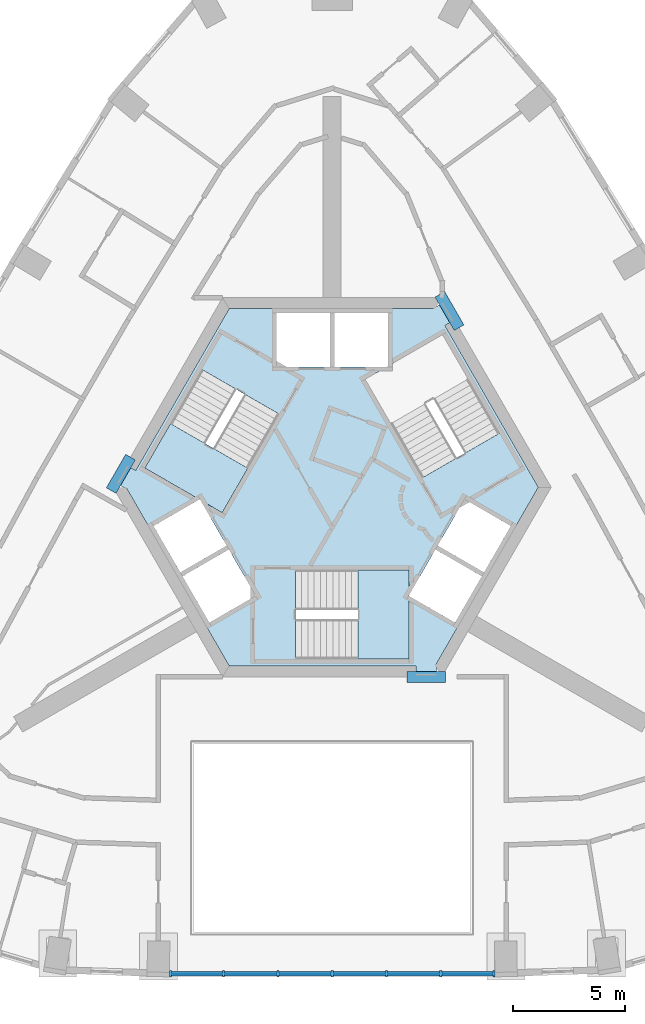
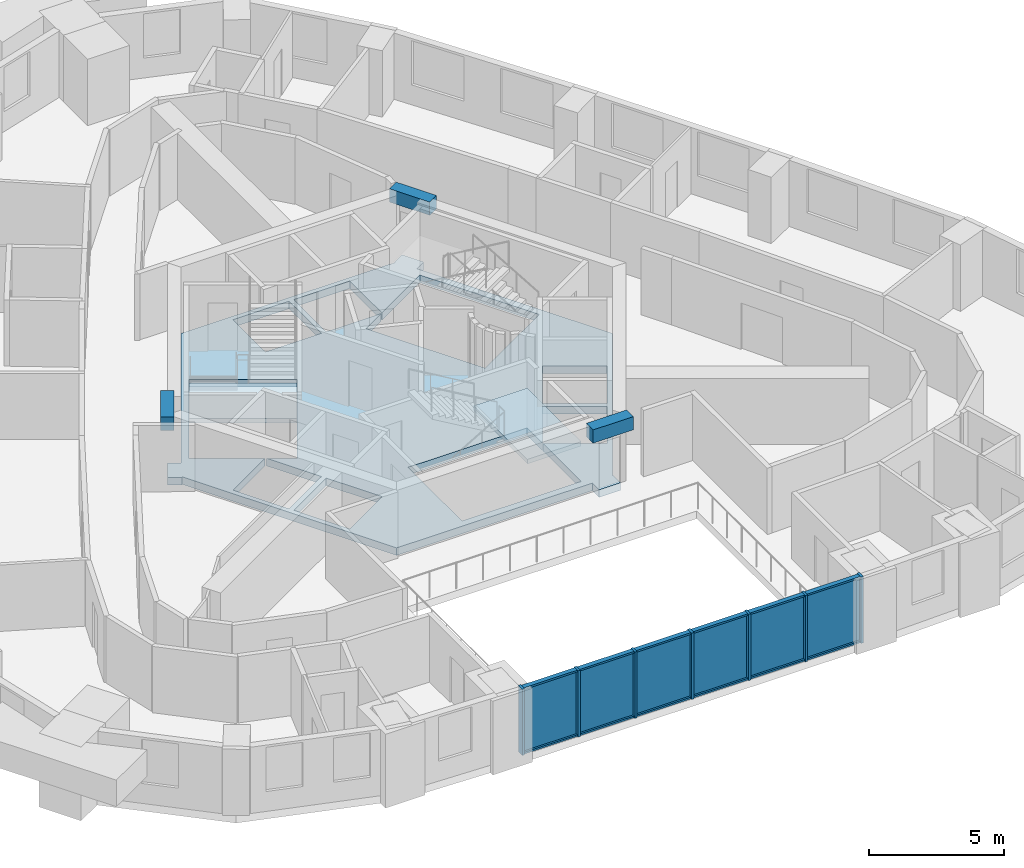
# One storey, part 2 of 10: 19 members, 6 plates, 3 beams, 3 slabs, 3 elements without a shape of their own.
"""IFC4 building model written with IfcOpenShell, lengths in metres."""

from ifc_helpers import new_model, si_unit, direction, frame, origin, origin_2d, place, context, subcontext, project, spatial, polyline, rectangle, outline, extrude, material, layer, layer_set, material_profile, profile_set, type_object, element, aggregate, save


model = new_model("IFC4")

# Units and contexts
model_context = context("Model", 3, precision=1e-05, world=origin(), true_north=direction((0.0, 1.0)))
body_context = subcontext(model_context, "Body", "Model", "MODEL_VIEW")
ifc_project = project(units=[si_unit("LENGTHUNIT", "METRE"), si_unit("AREAUNIT", "SQUARE_METRE"), si_unit("VOLUMEUNIT", "CUBIC_METRE"), si_unit("PLANEANGLEUNIT", "RADIAN"), si_unit("MASSUNIT", "GRAM", prefix="KILO")], contexts=[model_context])

# Site, building, storey
site_placement = place(None, origin())
site = spatial("IfcSite", under=ifc_project, at=site_placement, CompositionType="ELEMENT")
building_placement = place(site_placement, origin())
building = spatial("IfcBuilding", under=site, at=building_placement, Name="Entoto Arch Interchange Tower", CompositionType="ELEMENT")
storey_placement = place(building_placement, frame((0.0, 0.0, 322.39990234375)))
storey = spatial("IfcBuildingStorey", under=building, at=storey_placement, Name="L76", CompositionType="ELEMENT", Elevation=322.39990234375)

# Beams
ifc_material_1 = material(Name="Concrete C40/50", Category="concrete")
ifc_material_profile_1 = material_profile(ifc_material_1, rectangle(XDim=0.5, YDim=0.60009765625, at=origin_2d()))
ifc_profile_set_1 = profile_set([ifc_material_profile_1], Name="Concrete C40/50")
beam_type = type_object("IfcBeamType", Name="Coupling beam RC 500x600 C40/50", PredefinedType="BEAM", material=ifc_profile_set_1)
for number, where, z_axis, x_axis, name in (
    (1, (5.68603515625, 9.65087890625, 2.7001953125), (-0.500105721196, 0.865964357019, 0.0), (-0.865964357019, -0.500105721196, 0.0), "Coupling beam NE L76"),
    (2, (-9.035888671875, 3.84912109375, 2.7001953125), (-0.500105721196, -0.865964357019, 0.0), (0.865964357019, -0.500105721196, 0.0), "Coupling beam NW L76"),
):
    element("IfcBeam", number, at=place(storey_placement, frame(where, z_axis=z_axis, x_axis=x_axis)), inside=storey, type_object=beam_type, Name=name, PredefinedType="BEAM", context=body_context, shape_type="SweptSolid", body=[
        extrude(rectangle(XDim=0.5, YDim=0.60009765625, at=origin_2d()), origin(), (0.0, 0.0, 1.0), 1.727783203125),
    ])
beam_placement = place(storey_placement, frame((3.35009765625, -6.0, 2.7001953125), z_axis=(1.0, 0.0, 0.0), x_axis=(0.0, 1.0, 0.0)))
element("IfcBeam", 3, at=beam_placement, inside=storey, type_object=beam_type, Name="Coupling beam S L76", PredefinedType="BEAM", context=body_context, shape_type="SweptSolid", body=[
    extrude(rectangle(XDim=0.5, YDim=0.60009765625, at=origin_2d()), origin(), (0.0, 0.0, 1.0), 1.725830078125),
])

# Curtain wall, members
ifc_material_2 = material(Name="Aluminium, anodised", Category="aluminium")
curtain_wall_type = type_object("IfcCurtainWallType", Name="CURTAIN WALL ATRIUM", PredefinedType="NOTDEFINED", material=ifc_material_2)
curtain_wall_placement = place(storey_placement, origin())
curtain_wall = element("IfcCurtainWall", 4, at=curtain_wall_placement, inside=storey, type_object=curtain_wall_type, Name="Atrium glazing S-02 L76", PredefinedType="NOTDEFINED")
ifc_material_profile_2 = material_profile(ifc_material_2, rectangle(XDim=0.300048828125, YDim=0.10009765625, at=origin_2d()))
ifc_profile_set_2 = profile_set([ifc_material_profile_2], Name="Aluminium, anodised")
member_type_1 = type_object("IfcMemberType", Name="MULLION ATRIUM 100x300", PredefinedType="MULLION", material=ifc_profile_set_2)
member_1_placement = place(storey_placement, frame((-7.248046875, -19.302978515625, 0.0), z_axis=(0.0, 0.0, 1.0), x_axis=(0.0, 1.0, 0.0)))
member_1 = element("IfcMember", 5, at=member_1_placement, type_object=member_type_1, Name="CWA mullion 1", PredefinedType="MULLION", context=body_context, shape_type="SweptSolid", body=[
    extrude(rectangle(XDim=0.300048828125, YDim=0.10009765625, at=origin_2d()), origin(), (0.0, 0.0, 1.0), 3.0),
])
member_2_placement = place(storey_placement, frame((-4.865234375, -19.302978515625, 0.0), z_axis=(0.0, 0.0, 1.0), x_axis=(0.0, 1.0, 0.0)))
member_2 = element("IfcMember", 6, at=member_2_placement, type_object=member_type_1, Name="CWA mullion 2", PredefinedType="MULLION", context=body_context, shape_type="SweptSolid", body=[
    extrude(rectangle(XDim=0.300048828125, YDim=0.10009765625, at=origin_2d()), origin(), (0.0, 0.0, 1.0), 3.0),
])
member_3_placement = place(storey_placement, frame((-2.4326171875, -19.302978515625, 0.0), z_axis=(0.0, 0.0, 1.0), x_axis=(0.0, 1.0, 0.0)))
member_3 = element("IfcMember", 7, at=member_3_placement, type_object=member_type_1, Name="CWA mullion 3", PredefinedType="MULLION", context=body_context, shape_type="SweptSolid", body=[
    extrude(rectangle(XDim=0.300048828125, YDim=0.10009765625, at=origin_2d()), origin(), (0.0, 0.0, 1.0), 3.0),
])
member_4_placement = place(storey_placement, frame((0.0, -19.302978515625, 0.0), z_axis=(0.0, 0.0, 1.0), x_axis=(0.0, 1.0, 0.0)))
member_4 = element("IfcMember", 8, at=member_4_placement, type_object=member_type_1, Name="CWA mullion 4", PredefinedType="MULLION", context=body_context, shape_type="SweptSolid", body=[
    extrude(rectangle(XDim=0.300048828125, YDim=0.10009765625, at=origin_2d()), origin(), (0.0, 0.0, 1.0), 3.0),
])
member_5_placement = place(storey_placement, frame((2.4326171875, -19.302978515625, 0.0), z_axis=(0.0, 0.0, 1.0), x_axis=(0.0, 1.0, 0.0)))
member_5 = element("IfcMember", 9, at=member_5_placement, type_object=member_type_1, Name="CWA mullion 5", PredefinedType="MULLION", context=body_context, shape_type="SweptSolid", body=[
    extrude(rectangle(XDim=0.300048828125, YDim=0.10009765625, at=origin_2d()), origin(), (0.0, 0.0, 1.0), 3.0),
])
member_6_placement = place(storey_placement, frame((4.865234375, -19.302978515625, 0.0), z_axis=(0.0, 0.0, 1.0), x_axis=(0.0, 1.0, 0.0)))
member_6 = element("IfcMember", 10, at=member_6_placement, type_object=member_type_1, Name="CWA mullion 6", PredefinedType="MULLION", context=body_context, shape_type="SweptSolid", body=[
    extrude(rectangle(XDim=0.300048828125, YDim=0.10009765625, at=origin_2d()), origin(), (0.0, 0.0, 1.0), 3.0),
])
member_7_placement = place(storey_placement, frame((7.248046875, -19.302978515625, 0.0), z_axis=(0.0, 0.0, 1.0), x_axis=(0.0, 1.0, 0.0)))
member_7 = element("IfcMember", 11, at=member_7_placement, type_object=member_type_1, Name="CWA mullion 7", PredefinedType="MULLION", context=body_context, shape_type="SweptSolid", body=[
    extrude(rectangle(XDim=0.300048828125, YDim=0.10009765625, at=origin_2d()), origin(), (0.0, 0.0, 1.0), 3.0),
])
ifc_material_profile_3 = material_profile(ifc_material_2, rectangle(XDim=0.199951171875, YDim=0.080078125, at=origin_2d()))
ifc_profile_set_3 = profile_set([ifc_material_profile_3], Name="Aluminium, anodised")
member_type_2 = type_object("IfcMemberType", Name="TRANSOM ATRIUM 80x200", PredefinedType="USERDEFINED", material=ifc_profile_set_3)
member_8_placement = place(storey_placement, frame((-7.197998046875, -19.302978515625, 0.0400390625), z_axis=(1.0, 0.0, 0.0), x_axis=(0.0, 1.0, 0.0)))
member_8 = element("IfcMember", 12, at=member_8_placement, type_object=member_type_2, Name="CWA transom 1.1", ObjectType="TRANSOM", PredefinedType="USERDEFINED", context=body_context, shape_type="SweptSolid", body=[
    extrude(rectangle(XDim=0.199951171875, YDim=0.080078125, at=origin_2d()), origin(), (0.0, 0.0, 1.0), 2.28271484375),
])
member_9_placement = place(storey_placement, frame((-7.197998046875, -19.302978515625, 2.960205078125), z_axis=(1.0, 0.0, 0.0), x_axis=(0.0, 1.0, 0.0)))
member_9 = element("IfcMember", 13, at=member_9_placement, type_object=member_type_2, Name="CWA transom 1.2", ObjectType="TRANSOM", PredefinedType="USERDEFINED", context=body_context, shape_type="SweptSolid", body=[
    extrude(rectangle(XDim=0.199951171875, YDim=0.080078125, at=origin_2d()), origin(), (0.0, 0.0, 1.0), 2.28271484375),
])
member_10_placement = place(storey_placement, frame((-4.8154296875, -19.302978515625, 0.0400390625), z_axis=(1.0, 0.0, 0.0), x_axis=(0.0, 1.0, 0.0)))
member_10 = element("IfcMember", 14, at=member_10_placement, type_object=member_type_2, Name="CWA transom 2.1", ObjectType="TRANSOM", PredefinedType="USERDEFINED", context=body_context, shape_type="SweptSolid", body=[
    extrude(rectangle(XDim=0.199951171875, YDim=0.080078125, at=origin_2d()), origin(), (0.0, 0.0, 1.0), 2.332763671875),
])
member_11_placement = place(storey_placement, frame((-4.8154296875, -19.302978515625, 2.960205078125), z_axis=(1.0, 0.0, 0.0), x_axis=(0.0, 1.0, 0.0)))
member_11 = element("IfcMember", 15, at=member_11_placement, type_object=member_type_2, Name="CWA transom 2.2", ObjectType="TRANSOM", PredefinedType="USERDEFINED", context=body_context, shape_type="SweptSolid", body=[
    extrude(rectangle(XDim=0.199951171875, YDim=0.080078125, at=origin_2d()), origin(), (0.0, 0.0, 1.0), 2.332763671875),
])
member_12_placement = place(storey_placement, frame((-2.382568359375, -19.302978515625, 0.0400390625), z_axis=(1.0, 0.0, 0.0), x_axis=(0.0, 1.0, 0.0)))
member_12 = element("IfcMember", 16, at=member_12_placement, type_object=member_type_2, Name="CWA transom 3.1", ObjectType="TRANSOM", PredefinedType="USERDEFINED", context=body_context, shape_type="SweptSolid", body=[
    extrude(rectangle(XDim=0.199951171875, YDim=0.080078125, at=origin_2d()), origin(), (0.0, 0.0, 1.0), 2.33251953125),
])
member_13_placement = place(storey_placement, frame((-2.382568359375, -19.302978515625, 2.960205078125), z_axis=(1.0, 0.0, 0.0), x_axis=(0.0, 1.0, 0.0)))
member_13 = element("IfcMember", 17, at=member_13_placement, type_object=member_type_2, Name="CWA transom 3.2", ObjectType="TRANSOM", PredefinedType="USERDEFINED", context=body_context, shape_type="SweptSolid", body=[
    extrude(rectangle(XDim=0.199951171875, YDim=0.080078125, at=origin_2d()), origin(), (0.0, 0.0, 1.0), 2.33251953125),
])
member_14_placement = place(storey_placement, frame((0.050048828125, -19.302978515625, 0.0400390625), z_axis=(1.0, 0.0, 0.0), x_axis=(0.0, 1.0, 0.0)))
member_14 = element("IfcMember", 18, at=member_14_placement, type_object=member_type_2, Name="CWA transom 4.1", ObjectType="TRANSOM", PredefinedType="USERDEFINED", context=body_context, shape_type="SweptSolid", body=[
    extrude(rectangle(XDim=0.199951171875, YDim=0.080078125, at=origin_2d()), origin(), (0.0, 0.0, 1.0), 2.33251953125),
])
member_15_placement = place(storey_placement, frame((0.050048828125, -19.302978515625, 2.960205078125), z_axis=(1.0, 0.0, 0.0), x_axis=(0.0, 1.0, 0.0)))
member_15 = element("IfcMember", 19, at=member_15_placement, type_object=member_type_2, Name="CWA transom 4.2", ObjectType="TRANSOM", PredefinedType="USERDEFINED", context=body_context, shape_type="SweptSolid", body=[
    extrude(rectangle(XDim=0.199951171875, YDim=0.080078125, at=origin_2d()), origin(), (0.0, 0.0, 1.0), 2.33251953125),
])
member_16_placement = place(storey_placement, frame((2.482666015625, -19.302978515625, 0.0400390625), z_axis=(1.0, 0.0, 0.0), x_axis=(0.0, 1.0, 0.0)))
member_16 = element("IfcMember", 20, at=member_16_placement, type_object=member_type_2, Name="CWA transom 5.1", ObjectType="TRANSOM", PredefinedType="USERDEFINED", context=body_context, shape_type="SweptSolid", body=[
    extrude(rectangle(XDim=0.199951171875, YDim=0.080078125, at=origin_2d()), origin(), (0.0, 0.0, 1.0), 2.332763671875),
])
member_17_placement = place(storey_placement, frame((2.482666015625, -19.302978515625, 2.960205078125), z_axis=(1.0, 0.0, 0.0), x_axis=(0.0, 1.0, 0.0)))
member_17 = element("IfcMember", 21, at=member_17_placement, type_object=member_type_2, Name="CWA transom 5.2", ObjectType="TRANSOM", PredefinedType="USERDEFINED", context=body_context, shape_type="SweptSolid", body=[
    extrude(rectangle(XDim=0.199951171875, YDim=0.080078125, at=origin_2d()), origin(), (0.0, 0.0, 1.0), 2.332763671875),
])
member_18_placement = place(storey_placement, frame((4.915283203125, -19.302978515625, 0.0400390625), z_axis=(1.0, 0.0, 0.0), x_axis=(0.0, 1.0, 0.0)))
member_18 = element("IfcMember", 22, at=member_18_placement, type_object=member_type_2, Name="CWA transom 6.1", ObjectType="TRANSOM", PredefinedType="USERDEFINED", context=body_context, shape_type="SweptSolid", body=[
    extrude(rectangle(XDim=0.199951171875, YDim=0.080078125, at=origin_2d()), origin(), (0.0, 0.0, 1.0), 2.28271484375),
])
member_19_placement = place(storey_placement, frame((4.915283203125, -19.302978515625, 2.960205078125), z_axis=(1.0, 0.0, 0.0), x_axis=(0.0, 1.0, 0.0)))
member_19 = element("IfcMember", 23, at=member_19_placement, type_object=member_type_2, Name="CWA transom 6.2", ObjectType="TRANSOM", PredefinedType="USERDEFINED", context=body_context, shape_type="SweptSolid", body=[
    extrude(rectangle(XDim=0.199951171875, YDim=0.080078125, at=origin_2d()), origin(), (0.0, 0.0, 1.0), 2.28271484375),
])

# Slab
ifc_layer_1 = layer(ifc_material_1, 0.340087890625)
ifc_layer_set_1 = layer_set([ifc_layer_1], Name="Concrete C40/50")
slab_type_1 = type_object("IfcSlabType", Name="Core floor slab 340 C40/50", PredefinedType="FLOOR", material=ifc_layer_set_1)
slab_1_placement = place(storey_placement, frame((0.0, 0.0, -0.33984375)))
element("IfcSlab", 24, at=slab_1_placement, inside=storey, type_object=slab_type_1, Name="Core floor slab L76", PredefinedType="FLOOR", context=body_context, shape_type="SweptSolid", body=[
    extrude(outline(polyline([(-9.208984375, 2.449951171875), (-9.222900390625, 2.425048828125), (-9.699951171875, 2.699951171875), (-9.236083984375, 3.501953125), (-8.802978515625, 3.2529296875), (-4.618896484375, 10.5), (4.56103515625, 10.5), (4.5458984375, 10.52490234375), (5.02197265625, 10.800048828125), (5.486083984375, 9.998046875), (5.052978515625, 9.748046875), (9.238037109375, 2.5), (4.64794921875, -5.449951171875), (4.676025390625, -5.449951171875), (4.676025390625, -6.0), (3.75, -6.0), (3.75, -5.5), (-4.618896484375, -5.5), (-9.208984375, 2.449951171875)]), holes=[polyline([(-1.64990234375, -5.199951171875), (3.449951171875, -5.199951171875), (3.449951171875, -2.3779296875), (5.5048828125, -3.56494140625), (6.705078125, -1.487060546875), (4.626953125, -0.287109375), (3.449951171875, -2.324951171875), (3.449951171875, -1.199951171875), (-1.64990234375, -1.199951171875), (-1.64990234375, -5.199951171875)]), polyline([(-4.626953125, -0.287109375), (-6.705078125, -1.487060546875), (-5.5048828125, -3.56494140625), (-3.427001953125, -2.364990234375), (-4.626953125, -0.287109375)]), polyline([(-5.904052734375, 1.925048828125), (-4.928955078125, 1.362060546875), (-2.37890625, 5.779052734375), (-5.843017578125, 7.779052734375), (-8.39306640625, 3.362060546875), (-5.949951171875, 1.951904296875), (-8.0048828125, 0.764892578125), (-6.804931640625, -1.31298828125), (-4.72705078125, -0.113037109375), (-5.904052734375, 1.925048828125)]), polyline([(4.72705078125, -0.113037109375), (6.804931640625, -1.31298828125), (8.0048828125, 0.764892578125), (5.927001953125, 1.965087890625), (4.72705078125, -0.113037109375)]), polyline([(2.5, 7.927001953125), (2.5, 10.300048828125), (0.10009765625, 10.300048828125), (0.10009765625, 7.89990234375), (2.452880859375, 7.89990234375), (1.47900390625, 7.337890625), (4.029052734375, 2.9208984375), (7.492919921875, 4.9208984375), (4.943115234375, 9.337890625), (2.5, 7.927001953125)]), polyline([(-2.5, 7.89990234375), (-0.10009765625, 7.89990234375), (-0.10009765625, 10.300048828125), (-2.5, 10.300048828125), (-2.5, 7.89990234375)])]), origin(), (0.0, 0.0, 1.0), 0.33984375),
])

# Stair, slab
stair_type = type_object("IfcStairType", Name="EXIT STAIR RC 1800", PredefinedType="HALF_TURN_STAIR", material=ifc_material_1)
stair_1_placement = place(storey_placement, origin())
stair_1 = element("IfcStair", 25, at=stair_1_placement, inside=storey, type_object=stair_type, Name="L76 Exit stair S", PredefinedType="HALF_TURN_STAIR")
ifc_layer_2 = layer(ifc_material_1, 0.199951171875)
ifc_layer_set_2 = layer_set([ifc_layer_2], Name="Concrete C40/50")
slab_type_2 = type_object("IfcSlabType", Name="EXIT STAIR LANDING RC 200", PredefinedType="LANDING", material=ifc_layer_set_2)
slab_2_placement = place(storey_placement, frame((0.0, 0.0, 1.60009765625)))
slab_2 = element("IfcSlab", 26, at=slab_2_placement, type_object=slab_type_2, Name="ST-S landing 1", PredefinedType="LANDING", context=body_context, shape_type="SweptSolid", body=[
    extrude(outline(polyline([(1.14990234375, -5.199951171875), (3.449951171875, -5.199951171875), (3.449951171875, -1.199951171875), (1.14990234375, -1.199951171875), (1.14990234375, -5.199951171875)])), origin(), (0.0, 0.0, 1.0), 0.199951171875),
])
aggregate(stair_1, [slab_2])

stair_2_placement = place(storey_placement, origin())
stair_2 = element("IfcStair", 27, at=stair_2_placement, inside=storey, type_object=stair_type, Name="L76 Exit stair NW", PredefinedType="HALF_TURN_STAIR")
slab_3_placement = place(storey_placement, frame((0.0, 0.0, 1.60009765625)))
slab_3 = element("IfcSlab", 28, at=slab_3_placement, type_object=slab_type_2, Name="ST-NW landing 1", PredefinedType="LANDING", context=body_context, shape_type="SweptSolid", body=[
    extrude(outline(polyline([(-7.243408203125, 5.35400390625), (-8.393310546875, 3.3623046875), (-4.92919921875, 1.3623046875), (-3.779296875, 3.35400390625), (-7.243408203125, 5.35400390625)])), origin(), (0.0, 0.0, 1.0), 0.199951171875),
])
aggregate(stair_2, [slab_3])

# Plate
ifc_material_3 = material(Name="Clear glass, low-e double glazed", Category="glass")
ifc_layer_3 = layer(ifc_material_3, 0.031982421875)
ifc_layer_set_3 = layer_set([ifc_layer_3], Name="Clear glass, low-e double glazed")
plate_type = type_object("IfcPlateType", Name="GLAZING PANEL ATRIUM 32", PredefinedType="CURTAIN_PANEL", material=ifc_layer_set_3)
plate_1_placement = place(storey_placement, frame((-6.056640625, -19.302978515625, 0.080078125), z_axis=(0.0, 0.0, 1.0), x_axis=(1.0, 0.0, 0.0)))
plate_1 = element("IfcPlate", 29, at=plate_1_placement, type_object=plate_type, Name="CWA panel 1.1", PredefinedType="CURTAIN_PANEL", context=body_context, shape_type="SweptSolid", body=[
    extrude(rectangle(XDim=2.28271484375, YDim=0.031982421875, at=origin_2d()), origin(), (0.0, 0.0, 1.0), 2.840087890625),
])

plate_2_placement = place(storey_placement, frame((-3.64892578125, -19.302978515625, 0.080078125), z_axis=(0.0, 0.0, 1.0), x_axis=(1.0, 0.0, 0.0)))
plate_2 = element("IfcPlate", 30, at=plate_2_placement, type_object=plate_type, Name="CWA panel 2.1", PredefinedType="CURTAIN_PANEL", context=body_context, shape_type="SweptSolid", body=[
    extrude(rectangle(XDim=2.332763671875, YDim=0.031982421875, at=origin_2d()), origin(), (0.0, 0.0, 1.0), 2.840087890625),
])

plate_3_placement = place(storey_placement, frame((-1.21630859375, -19.302978515625, 0.080078125), z_axis=(0.0, 0.0, 1.0), x_axis=(1.0, 0.0, 0.0)))
plate_3 = element("IfcPlate", 31, at=plate_3_placement, type_object=plate_type, Name="CWA panel 3.1", PredefinedType="CURTAIN_PANEL", context=body_context, shape_type="SweptSolid", body=[
    extrude(rectangle(XDim=2.332763671875, YDim=0.031982421875, at=origin_2d()), origin(), (0.0, 0.0, 1.0), 2.840087890625),
])

plate_4_placement = place(storey_placement, frame((1.21630859375, -19.302978515625, 0.080078125), z_axis=(0.0, 0.0, 1.0), x_axis=(1.0, 0.0, 0.0)))
plate_4 = element("IfcPlate", 32, at=plate_4_placement, type_object=plate_type, Name="CWA panel 4.1", PredefinedType="CURTAIN_PANEL", context=body_context, shape_type="SweptSolid", body=[
    extrude(rectangle(XDim=2.332763671875, YDim=0.031982421875, at=origin_2d()), origin(), (0.0, 0.0, 1.0), 2.840087890625),
])

plate_5_placement = place(storey_placement, frame((3.64892578125, -19.302978515625, 0.080078125), z_axis=(0.0, 0.0, 1.0), x_axis=(1.0, 0.0, 0.0)))
plate_5 = element("IfcPlate", 33, at=plate_5_placement, type_object=plate_type, Name="CWA panel 5.1", PredefinedType="CURTAIN_PANEL", context=body_context, shape_type="SweptSolid", body=[
    extrude(rectangle(XDim=2.332763671875, YDim=0.031982421875, at=origin_2d()), origin(), (0.0, 0.0, 1.0), 2.840087890625),
])

plate_6_placement = place(storey_placement, frame((6.056640625, -19.302978515625, 0.080078125), z_axis=(0.0, 0.0, 1.0), x_axis=(1.0, 0.0, 0.0)))
plate_6 = element("IfcPlate", 34, at=plate_6_placement, type_object=plate_type, Name="CWA panel 6.1", PredefinedType="CURTAIN_PANEL", context=body_context, shape_type="SweptSolid", body=[
    extrude(rectangle(XDim=2.28271484375, YDim=0.031982421875, at=origin_2d()), origin(), (0.0, 0.0, 1.0), 2.840087890625),
])

aggregate(curtain_wall, [member_1, member_2, member_3, member_4, member_5, member_6, member_7, member_8, member_9, plate_1, member_10, member_11, plate_2, member_12, member_13, plate_3, member_14, member_15, plate_4, member_16, member_17, plate_5, member_18, member_19, plate_6])

save(model, "model.ifc")
